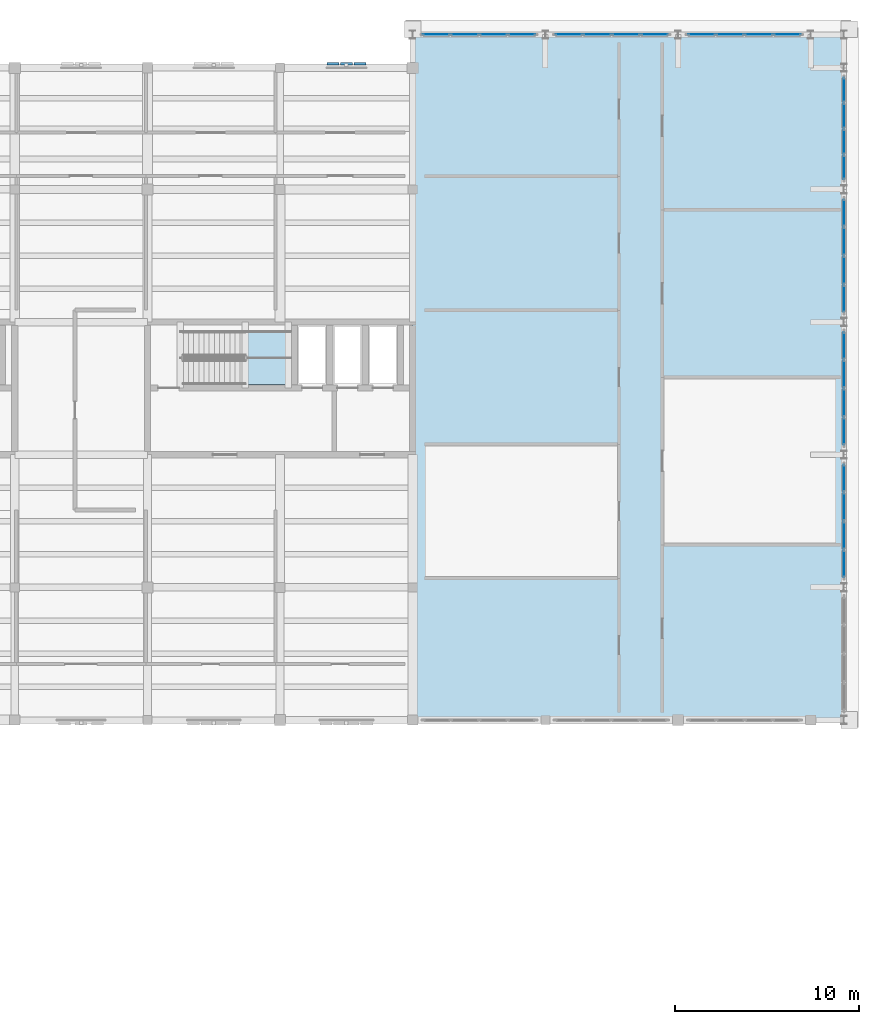
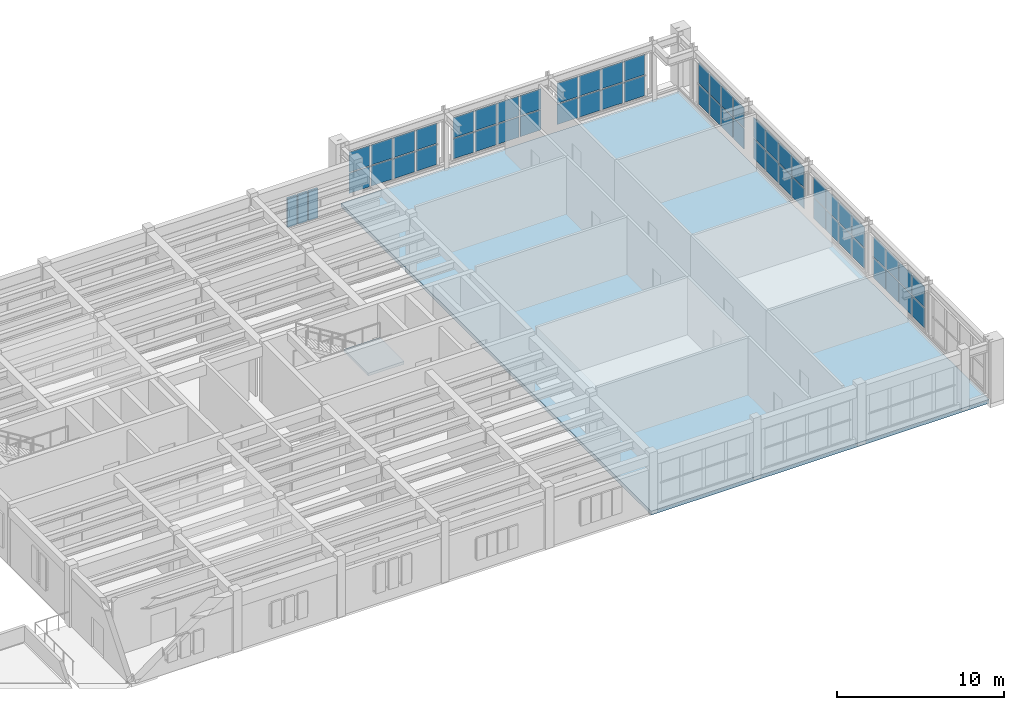
# One storey, part 10 of 18: 59 plates, 2 slabs, 8 elements without a shape of their own.
"""IFC4 building model written with IfcOpenShell, lengths in metres."""

from ifc_helpers import new_model, si_unit, direction, frame, origin, origin_2d, place, context, subcontext, project, spatial, polyline, rectangle, outline, extrude, material, layer, layer_set, type_object, element, aggregate, save


model = new_model("IFC4")

# Units and contexts
model_context = context("Model", 3, precision=1e-05, world=origin(), true_north=direction((0.0, 1.0)))
body_context = subcontext(model_context, "Body", "Model", "MODEL_VIEW")
ifc_project = project(units=[si_unit("LENGTHUNIT", "METRE"), si_unit("AREAUNIT", "SQUARE_METRE"), si_unit("VOLUMEUNIT", "CUBIC_METRE"), si_unit("PLANEANGLEUNIT", "RADIAN"), si_unit("MASSUNIT", "GRAM", prefix="KILO")], contexts=[model_context])

# Site, building, storey
site_placement = place(None, origin())
site = spatial("IfcSite", under=ifc_project, at=site_placement, CompositionType="ELEMENT")
building_placement = place(site_placement, origin())
building = spatial("IfcBuilding", under=site, at=building_placement, Name="Mithqara Police Headquarters", CompositionType="ELEMENT")
storey_placement = place(building_placement, frame((0.0, 0.0, 26.39990234375)))
storey = spatial("IfcBuildingStorey", under=building, at=storey_placement, Name="L06", CompositionType="ELEMENT", Elevation=26.39990234375)

# Curtain wall, plates
ifc_material_1 = material(Name="Bronze anodised aluminium 6063-T6", Category="aluminium")
curtain_wall_type_1 = type_object("IfcCurtainWallType", Name="CURTAIN WALL 6250X3170", PredefinedType="USERDEFINED", material=ifc_material_1)
curtain_wall_1_placement = place(storey_placement, origin())
curtain_wall_1 = element("IfcCurtainWall", 1, at=curtain_wall_1_placement, inside=storey, type_object=curtain_wall_type_1, Name="L06 Unitised Glazing CW-04 (CW-CUBE-L06-P0-E02-S0-01)", ObjectType="UNITISED GLAZING", PredefinedType="USERDEFINED")
ifc_material_2 = material(Name="Ballistic laminated double low-e glass", Category="glass")
ifc_layer_1 = layer(ifc_material_2, 0.035888671875, Name="Ballistic laminated double low-e glass")
ifc_layer_set_1 = layer_set([ifc_layer_1], Name="Ballistic laminated double low-e glass")
plate_type_1 = type_object("IfcPlateType", Name="CWPANEL GLASS36", PredefinedType="CURTAIN_PANEL", material=ifc_layer_set_1)
plate_1_placement = place(storey_placement, frame((168.0, 87.074951171875, 0.52490234375), z_axis=(0.0, 0.0, 1.0), x_axis=(0.0, 1.0, 0.0)))
plate_1 = element("IfcPlate", 2, at=plate_1_placement, type_object=plate_type_1, Name="CW-04 panel 1.1", PredefinedType="CURTAIN_PANEL", context=body_context, shape_type="SweptSolid", body=[
    extrude(rectangle(XDim=1.449951171875, YDim=0.035888671875, at=origin_2d()), origin(), (0.0, 0.0, 1.0), 1.472412109375),
])
plate_2_placement = place(storey_placement, frame((168.0, 87.074951171875, 2.07275390625), z_axis=(0.0, 0.0, 1.0), x_axis=(0.0, 1.0, 0.0)))
plate_2 = element("IfcPlate", 3, at=plate_2_placement, type_object=plate_type_1, Name="CW-04 panel 1.2", PredefinedType="CURTAIN_PANEL", context=body_context, shape_type="SweptSolid", body=[
    extrude(rectangle(XDim=1.449951171875, YDim=0.035888671875, at=origin_2d()), origin(), (0.0, 0.0, 1.0), 1.472412109375),
])
plate_3_placement = place(storey_placement, frame((168.0, 88.61865234375, 0.52490234375), z_axis=(0.0, 0.0, 1.0), x_axis=(0.0, 1.0, 0.0)))
plate_3 = element("IfcPlate", 4, at=plate_3_placement, type_object=plate_type_1, Name="CW-04 panel 2.1", PredefinedType="CURTAIN_PANEL", context=body_context, shape_type="SweptSolid", body=[
    extrude(rectangle(XDim=1.487548828125, YDim=0.035888671875, at=origin_2d()), origin(), (0.0, 0.0, 1.0), 1.472412109375),
])
plate_4_placement = place(storey_placement, frame((168.0, 88.61865234375, 2.07275390625), z_axis=(0.0, 0.0, 1.0), x_axis=(0.0, 1.0, 0.0)))
plate_4 = element("IfcPlate", 5, at=plate_4_placement, type_object=plate_type_1, Name="CW-04 panel 2.2", PredefinedType="CURTAIN_PANEL", context=body_context, shape_type="SweptSolid", body=[
    extrude(rectangle(XDim=1.487548828125, YDim=0.035888671875, at=origin_2d()), origin(), (0.0, 0.0, 1.0), 1.472412109375),
])
plate_5_placement = place(storey_placement, frame((168.0, 90.18115234375, 0.52490234375), z_axis=(0.0, 0.0, 1.0), x_axis=(0.0, 1.0, 0.0)))
plate_5 = element("IfcPlate", 6, at=plate_5_placement, type_object=plate_type_1, Name="CW-04 panel 3.1", PredefinedType="CURTAIN_PANEL", context=body_context, shape_type="SweptSolid", body=[
    extrude(rectangle(XDim=1.487548828125, YDim=0.035888671875, at=origin_2d()), origin(), (0.0, 0.0, 1.0), 1.472412109375),
])
plate_6_placement = place(storey_placement, frame((168.0, 90.18115234375, 2.07275390625), z_axis=(0.0, 0.0, 1.0), x_axis=(0.0, 1.0, 0.0)))
plate_6 = element("IfcPlate", 7, at=plate_6_placement, type_object=plate_type_1, Name="CW-04 panel 3.2", PredefinedType="CURTAIN_PANEL", context=body_context, shape_type="SweptSolid", body=[
    extrude(rectangle(XDim=1.487548828125, YDim=0.035888671875, at=origin_2d()), origin(), (0.0, 0.0, 1.0), 1.472412109375),
])
plate_7_placement = place(storey_placement, frame((168.0, 91.72509765625, 0.52490234375), z_axis=(0.0, 0.0, 1.0), x_axis=(0.0, 1.0, 0.0)))
plate_7 = element("IfcPlate", 8, at=plate_7_placement, type_object=plate_type_1, Name="CW-04 panel 4.1", PredefinedType="CURTAIN_PANEL", context=body_context, shape_type="SweptSolid", body=[
    extrude(rectangle(XDim=1.449951171875, YDim=0.035888671875, at=origin_2d()), origin(), (0.0, 0.0, 1.0), 1.472412109375),
])
plate_8_placement = place(storey_placement, frame((168.0, 91.72509765625, 2.07275390625), z_axis=(0.0, 0.0, 1.0), x_axis=(0.0, 1.0, 0.0)))
plate_8 = element("IfcPlate", 9, at=plate_8_placement, type_object=plate_type_1, Name="CW-04 panel 4.2", PredefinedType="CURTAIN_PANEL", context=body_context, shape_type="SweptSolid", body=[
    extrude(rectangle(XDim=1.449951171875, YDim=0.035888671875, at=origin_2d()), origin(), (0.0, 0.0, 1.0), 1.472412109375),
])
aggregate(curtain_wall_1, [plate_1, plate_2, plate_3, plate_4, plate_5, plate_6, plate_7, plate_8])

curtain_wall_2_placement = place(storey_placement, origin())
curtain_wall_2 = element("IfcCurtainWall", 10, at=curtain_wall_2_placement, inside=storey, type_object=curtain_wall_type_1, Name="L06 Unitised Glazing CW-04 (CW-CUBE-L06-P0-E02-S0-02)", ObjectType="UNITISED GLAZING", PredefinedType="USERDEFINED")
plate_9_placement = place(storey_placement, frame((168.0, 94.27490234375, 0.52490234375), z_axis=(0.0, 0.0, 1.0), x_axis=(0.0, 1.0, 0.0)))
plate_9 = element("IfcPlate", 11, at=plate_9_placement, type_object=plate_type_1, Name="CW-04 panel 1.1", PredefinedType="CURTAIN_PANEL", context=body_context, shape_type="SweptSolid", body=[
    extrude(rectangle(XDim=1.449951171875, YDim=0.035888671875, at=origin_2d()), origin(), (0.0, 0.0, 1.0), 1.472412109375),
])
plate_10_placement = place(storey_placement, frame((168.0, 94.27490234375, 2.07275390625), z_axis=(0.0, 0.0, 1.0), x_axis=(0.0, 1.0, 0.0)))
plate_10 = element("IfcPlate", 12, at=plate_10_placement, type_object=plate_type_1, Name="CW-04 panel 1.2", PredefinedType="CURTAIN_PANEL", context=body_context, shape_type="SweptSolid", body=[
    extrude(rectangle(XDim=1.449951171875, YDim=0.035888671875, at=origin_2d()), origin(), (0.0, 0.0, 1.0), 1.472412109375),
])
plate_11_placement = place(storey_placement, frame((168.0, 95.81884765625, 0.52490234375), z_axis=(0.0, 0.0, 1.0), x_axis=(0.0, 1.0, 0.0)))
plate_11 = element("IfcPlate", 13, at=plate_11_placement, type_object=plate_type_1, Name="CW-04 panel 2.1", PredefinedType="CURTAIN_PANEL", context=body_context, shape_type="SweptSolid", body=[
    extrude(rectangle(XDim=1.487548828125, YDim=0.035888671875, at=origin_2d()), origin(), (0.0, 0.0, 1.0), 1.472412109375),
])
plate_12_placement = place(storey_placement, frame((168.0, 95.81884765625, 2.07275390625), z_axis=(0.0, 0.0, 1.0), x_axis=(0.0, 1.0, 0.0)))
plate_12 = element("IfcPlate", 14, at=plate_12_placement, type_object=plate_type_1, Name="CW-04 panel 2.2", PredefinedType="CURTAIN_PANEL", context=body_context, shape_type="SweptSolid", body=[
    extrude(rectangle(XDim=1.487548828125, YDim=0.035888671875, at=origin_2d()), origin(), (0.0, 0.0, 1.0), 1.472412109375),
])
plate_13_placement = place(storey_placement, frame((168.0, 97.38134765625, 0.52490234375), z_axis=(0.0, 0.0, 1.0), x_axis=(0.0, 1.0, 0.0)))
plate_13 = element("IfcPlate", 15, at=plate_13_placement, type_object=plate_type_1, Name="CW-04 panel 3.1", PredefinedType="CURTAIN_PANEL", context=body_context, shape_type="SweptSolid", body=[
    extrude(rectangle(XDim=1.487548828125, YDim=0.035888671875, at=origin_2d()), origin(), (0.0, 0.0, 1.0), 1.472412109375),
])
plate_14_placement = place(storey_placement, frame((168.0, 97.38134765625, 2.07275390625), z_axis=(0.0, 0.0, 1.0), x_axis=(0.0, 1.0, 0.0)))
plate_14 = element("IfcPlate", 16, at=plate_14_placement, type_object=plate_type_1, Name="CW-04 panel 3.2", PredefinedType="CURTAIN_PANEL", context=body_context, shape_type="SweptSolid", body=[
    extrude(rectangle(XDim=1.487548828125, YDim=0.035888671875, at=origin_2d()), origin(), (0.0, 0.0, 1.0), 1.472412109375),
])
plate_15_placement = place(storey_placement, frame((168.0, 98.925048828125, 0.52490234375), z_axis=(0.0, 0.0, 1.0), x_axis=(0.0, 1.0, 0.0)))
plate_15 = element("IfcPlate", 17, at=plate_15_placement, type_object=plate_type_1, Name="CW-04 panel 4.1", PredefinedType="CURTAIN_PANEL", context=body_context, shape_type="SweptSolid", body=[
    extrude(rectangle(XDim=1.449951171875, YDim=0.035888671875, at=origin_2d()), origin(), (0.0, 0.0, 1.0), 1.472412109375),
])
plate_16_placement = place(storey_placement, frame((168.0, 98.925048828125, 2.07275390625), z_axis=(0.0, 0.0, 1.0), x_axis=(0.0, 1.0, 0.0)))
plate_16 = element("IfcPlate", 18, at=plate_16_placement, type_object=plate_type_1, Name="CW-04 panel 4.2", PredefinedType="CURTAIN_PANEL", context=body_context, shape_type="SweptSolid", body=[
    extrude(rectangle(XDim=1.449951171875, YDim=0.035888671875, at=origin_2d()), origin(), (0.0, 0.0, 1.0), 1.472412109375),
])
aggregate(curtain_wall_2, [plate_9, plate_10, plate_11, plate_12, plate_13, plate_14, plate_15, plate_16])

curtain_wall_3_placement = place(storey_placement, origin())
curtain_wall_3 = element("IfcCurtainWall", 19, at=curtain_wall_3_placement, inside=storey, type_object=curtain_wall_type_1, Name="L06 Unitised Glazing CW-04 (CW-CUBE-L06-P0-E02-S0-03)", ObjectType="UNITISED GLAZING", PredefinedType="USERDEFINED")
plate_17_placement = place(storey_placement, frame((168.0, 101.47509765625, 0.52490234375), z_axis=(0.0, 0.0, 1.0), x_axis=(0.0, 1.0, 0.0)))
plate_17 = element("IfcPlate", 20, at=plate_17_placement, type_object=plate_type_1, Name="CW-04 panel 1.1", PredefinedType="CURTAIN_PANEL", context=body_context, shape_type="SweptSolid", body=[
    extrude(rectangle(XDim=1.449951171875, YDim=0.035888671875, at=origin_2d()), origin(), (0.0, 0.0, 1.0), 1.472412109375),
])
plate_18_placement = place(storey_placement, frame((168.0, 101.47509765625, 2.07275390625), z_axis=(0.0, 0.0, 1.0), x_axis=(0.0, 1.0, 0.0)))
plate_18 = element("IfcPlate", 21, at=plate_18_placement, type_object=plate_type_1, Name="CW-04 panel 1.2", PredefinedType="CURTAIN_PANEL", context=body_context, shape_type="SweptSolid", body=[
    extrude(rectangle(XDim=1.449951171875, YDim=0.035888671875, at=origin_2d()), origin(), (0.0, 0.0, 1.0), 1.472412109375),
])
plate_19_placement = place(storey_placement, frame((168.0, 103.018798828125, 0.52490234375), z_axis=(0.0, 0.0, 1.0), x_axis=(0.0, 1.0, 0.0)))
plate_19 = element("IfcPlate", 22, at=plate_19_placement, type_object=plate_type_1, Name="CW-04 panel 2.1", PredefinedType="CURTAIN_PANEL", context=body_context, shape_type="SweptSolid", body=[
    extrude(rectangle(XDim=1.487548828125, YDim=0.035888671875, at=origin_2d()), origin(), (0.0, 0.0, 1.0), 1.472412109375),
])
plate_20_placement = place(storey_placement, frame((168.0, 103.018798828125, 2.07275390625), z_axis=(0.0, 0.0, 1.0), x_axis=(0.0, 1.0, 0.0)))
plate_20 = element("IfcPlate", 23, at=plate_20_placement, type_object=plate_type_1, Name="CW-04 panel 2.2", PredefinedType="CURTAIN_PANEL", context=body_context, shape_type="SweptSolid", body=[
    extrude(rectangle(XDim=1.487548828125, YDim=0.035888671875, at=origin_2d()), origin(), (0.0, 0.0, 1.0), 1.472412109375),
])
plate_21_placement = place(storey_placement, frame((168.0, 104.581298828125, 0.52490234375), z_axis=(0.0, 0.0, 1.0), x_axis=(0.0, 1.0, 0.0)))
plate_21 = element("IfcPlate", 24, at=plate_21_placement, type_object=plate_type_1, Name="CW-04 panel 3.1", PredefinedType="CURTAIN_PANEL", context=body_context, shape_type="SweptSolid", body=[
    extrude(rectangle(XDim=1.487548828125, YDim=0.035888671875, at=origin_2d()), origin(), (0.0, 0.0, 1.0), 1.472412109375),
])
plate_22_placement = place(storey_placement, frame((168.0, 104.581298828125, 2.07275390625), z_axis=(0.0, 0.0, 1.0), x_axis=(0.0, 1.0, 0.0)))
plate_22 = element("IfcPlate", 25, at=plate_22_placement, type_object=plate_type_1, Name="CW-04 panel 3.2", PredefinedType="CURTAIN_PANEL", context=body_context, shape_type="SweptSolid", body=[
    extrude(rectangle(XDim=1.487548828125, YDim=0.035888671875, at=origin_2d()), origin(), (0.0, 0.0, 1.0), 1.472412109375),
])
plate_23_placement = place(storey_placement, frame((168.0, 106.125, 0.52490234375), z_axis=(0.0, 0.0, 1.0), x_axis=(0.0, 1.0, 0.0)))
plate_23 = element("IfcPlate", 26, at=plate_23_placement, type_object=plate_type_1, Name="CW-04 panel 4.1", PredefinedType="CURTAIN_PANEL", context=body_context, shape_type="SweptSolid", body=[
    extrude(rectangle(XDim=1.449951171875, YDim=0.035888671875, at=origin_2d()), origin(), (0.0, 0.0, 1.0), 1.472412109375),
])
plate_24_placement = place(storey_placement, frame((168.0, 106.125, 2.07275390625), z_axis=(0.0, 0.0, 1.0), x_axis=(0.0, 1.0, 0.0)))
plate_24 = element("IfcPlate", 27, at=plate_24_placement, type_object=plate_type_1, Name="CW-04 panel 4.2", PredefinedType="CURTAIN_PANEL", context=body_context, shape_type="SweptSolid", body=[
    extrude(rectangle(XDim=1.449951171875, YDim=0.035888671875, at=origin_2d()), origin(), (0.0, 0.0, 1.0), 1.472412109375),
])
aggregate(curtain_wall_3, [plate_17, plate_18, plate_19, plate_20, plate_21, plate_22, plate_23, plate_24])

curtain_wall_type_2 = type_object("IfcCurtainWallType", Name="CURTAIN WALL 5650X3170", PredefinedType="USERDEFINED", material=ifc_material_1)
curtain_wall_4_placement = place(storey_placement, origin())
curtain_wall_4 = element("IfcCurtainWall", 28, at=curtain_wall_4_placement, inside=storey, type_object=curtain_wall_type_2, Name="L06 Unitised Glazing CW-05 (CW-CUBE-L06-P0-E02-S0-04)", ObjectType="UNITISED GLAZING", PredefinedType="USERDEFINED")
plate_25_placement = place(storey_placement, frame((168.0, 108.60009765625, 0.52490234375), z_axis=(0.0, 0.0, 1.0), x_axis=(0.0, 1.0, 0.0)))
plate_25 = element("IfcPlate", 29, at=plate_25_placement, type_object=plate_type_1, Name="CW-05 panel 1.1", PredefinedType="CURTAIN_PANEL", context=body_context, shape_type="SweptSolid", body=[
    extrude(rectangle(XDim=1.300048828125, YDim=0.035888671875, at=origin_2d()), origin(), (0.0, 0.0, 1.0), 1.472412109375),
])
plate_26_placement = place(storey_placement, frame((168.0, 108.60009765625, 2.07275390625), z_axis=(0.0, 0.0, 1.0), x_axis=(0.0, 1.0, 0.0)))
plate_26 = element("IfcPlate", 30, at=plate_26_placement, type_object=plate_type_1, Name="CW-05 panel 1.2", PredefinedType="CURTAIN_PANEL", context=body_context, shape_type="SweptSolid", body=[
    extrude(rectangle(XDim=1.300048828125, YDim=0.035888671875, at=origin_2d()), origin(), (0.0, 0.0, 1.0), 1.472412109375),
])
plate_27_placement = place(storey_placement, frame((168.0, 109.99365234375, 0.52490234375), z_axis=(0.0, 0.0, 1.0), x_axis=(0.0, 1.0, 0.0)))
plate_27 = element("IfcPlate", 31, at=plate_27_placement, type_object=plate_type_1, Name="CW-05 panel 2.1", PredefinedType="CURTAIN_PANEL", context=body_context, shape_type="SweptSolid", body=[
    extrude(rectangle(XDim=1.33740234375, YDim=0.035888671875, at=origin_2d()), origin(), (0.0, 0.0, 1.0), 1.472412109375),
])
plate_28_placement = place(storey_placement, frame((168.0, 109.99365234375, 2.07275390625), z_axis=(0.0, 0.0, 1.0), x_axis=(0.0, 1.0, 0.0)))
plate_28 = element("IfcPlate", 32, at=plate_28_placement, type_object=plate_type_1, Name="CW-05 panel 2.2", PredefinedType="CURTAIN_PANEL", context=body_context, shape_type="SweptSolid", body=[
    extrude(rectangle(XDim=1.33740234375, YDim=0.035888671875, at=origin_2d()), origin(), (0.0, 0.0, 1.0), 1.472412109375),
])
plate_29_placement = place(storey_placement, frame((168.0, 111.40625, 0.52490234375), z_axis=(0.0, 0.0, 1.0), x_axis=(0.0, 1.0, 0.0)))
plate_29 = element("IfcPlate", 33, at=plate_29_placement, type_object=plate_type_1, Name="CW-05 panel 3.1", PredefinedType="CURTAIN_PANEL", context=body_context, shape_type="SweptSolid", body=[
    extrude(rectangle(XDim=1.33740234375, YDim=0.035888671875, at=origin_2d()), origin(), (0.0, 0.0, 1.0), 1.472412109375),
])
plate_30_placement = place(storey_placement, frame((168.0, 111.40625, 2.07275390625), z_axis=(0.0, 0.0, 1.0), x_axis=(0.0, 1.0, 0.0)))
plate_30 = element("IfcPlate", 34, at=plate_30_placement, type_object=plate_type_1, Name="CW-05 panel 3.2", PredefinedType="CURTAIN_PANEL", context=body_context, shape_type="SweptSolid", body=[
    extrude(rectangle(XDim=1.33740234375, YDim=0.035888671875, at=origin_2d()), origin(), (0.0, 0.0, 1.0), 1.472412109375),
])
plate_31_placement = place(storey_placement, frame((168.0, 112.800048828125, 0.52490234375), z_axis=(0.0, 0.0, 1.0), x_axis=(0.0, 1.0, 0.0)))
plate_31 = element("IfcPlate", 35, at=plate_31_placement, type_object=plate_type_1, Name="CW-05 panel 4.1", PredefinedType="CURTAIN_PANEL", context=body_context, shape_type="SweptSolid", body=[
    extrude(rectangle(XDim=1.300048828125, YDim=0.035888671875, at=origin_2d()), origin(), (0.0, 0.0, 1.0), 1.472412109375),
])
plate_32_placement = place(storey_placement, frame((168.0, 112.800048828125, 2.07275390625), z_axis=(0.0, 0.0, 1.0), x_axis=(0.0, 1.0, 0.0)))
plate_32 = element("IfcPlate", 36, at=plate_32_placement, type_object=plate_type_1, Name="CW-05 panel 4.2", PredefinedType="CURTAIN_PANEL", context=body_context, shape_type="SweptSolid", body=[
    extrude(rectangle(XDim=1.300048828125, YDim=0.035888671875, at=origin_2d()), origin(), (0.0, 0.0, 1.0), 1.472412109375),
])
aggregate(curtain_wall_4, [plate_25, plate_26, plate_27, plate_28, plate_29, plate_30, plate_31, plate_32])

curtain_wall_5_placement = place(storey_placement, origin())
curtain_wall_5 = element("IfcCurtainWall", 37, at=curtain_wall_5_placement, inside=storey, type_object=curtain_wall_type_1, Name="L06 Unitised Glazing CW-04 (CW-CUBE-L06-P0-E03-S0-00)", ObjectType="UNITISED GLAZING", PredefinedType="USERDEFINED")
plate_33_placement = place(storey_placement, frame((164.925048828125, 115.800048828125, 0.52490234375), z_axis=(0.0, 0.0, 1.0), x_axis=(-1.0, 0.0, 0.0)))
plate_33 = element("IfcPlate", 38, at=plate_33_placement, type_object=plate_type_1, Name="CW-04 panel 1.1", PredefinedType="CURTAIN_PANEL", context=body_context, shape_type="SweptSolid", body=[
    extrude(rectangle(XDim=1.449951171875, YDim=0.035888671875, at=origin_2d()), origin(), (0.0, 0.0, 1.0), 1.472412109375),
])
plate_34_placement = place(storey_placement, frame((164.925048828125, 115.800048828125, 2.07275390625), z_axis=(0.0, 0.0, 1.0), x_axis=(-1.0, 0.0, 0.0)))
plate_34 = element("IfcPlate", 39, at=plate_34_placement, type_object=plate_type_1, Name="CW-04 panel 1.2", PredefinedType="CURTAIN_PANEL", context=body_context, shape_type="SweptSolid", body=[
    extrude(rectangle(XDim=1.449951171875, YDim=0.035888671875, at=origin_2d()), origin(), (0.0, 0.0, 1.0), 1.472412109375),
])
plate_35_placement = place(storey_placement, frame((163.38134765625, 115.800048828125, 0.52490234375), z_axis=(0.0, 0.0, 1.0), x_axis=(-1.0, 0.0, 0.0)))
plate_35 = element("IfcPlate", 40, at=plate_35_placement, type_object=plate_type_1, Name="CW-04 panel 2.1", PredefinedType="CURTAIN_PANEL", context=body_context, shape_type="SweptSolid", body=[
    extrude(rectangle(XDim=1.487548828125, YDim=0.035888671875, at=origin_2d()), origin(), (0.0, 0.0, 1.0), 1.472412109375),
])
plate_36_placement = place(storey_placement, frame((163.38134765625, 115.800048828125, 2.07275390625), z_axis=(0.0, 0.0, 1.0), x_axis=(-1.0, 0.0, 0.0)))
plate_36 = element("IfcPlate", 41, at=plate_36_placement, type_object=plate_type_1, Name="CW-04 panel 2.2", PredefinedType="CURTAIN_PANEL", context=body_context, shape_type="SweptSolid", body=[
    extrude(rectangle(XDim=1.487548828125, YDim=0.035888671875, at=origin_2d()), origin(), (0.0, 0.0, 1.0), 1.472412109375),
])
plate_37_placement = place(storey_placement, frame((161.81884765625, 115.800048828125, 0.52490234375), z_axis=(0.0, 0.0, 1.0), x_axis=(-1.0, 0.0, 0.0)))
plate_37 = element("IfcPlate", 42, at=plate_37_placement, type_object=plate_type_1, Name="CW-04 panel 3.1", PredefinedType="CURTAIN_PANEL", context=body_context, shape_type="SweptSolid", body=[
    extrude(rectangle(XDim=1.487548828125, YDim=0.035888671875, at=origin_2d()), origin(), (0.0, 0.0, 1.0), 1.472412109375),
])
plate_38_placement = place(storey_placement, frame((161.81884765625, 115.800048828125, 2.07275390625), z_axis=(0.0, 0.0, 1.0), x_axis=(-1.0, 0.0, 0.0)))
plate_38 = element("IfcPlate", 43, at=plate_38_placement, type_object=plate_type_1, Name="CW-04 panel 3.2", PredefinedType="CURTAIN_PANEL", context=body_context, shape_type="SweptSolid", body=[
    extrude(rectangle(XDim=1.487548828125, YDim=0.035888671875, at=origin_2d()), origin(), (0.0, 0.0, 1.0), 1.472412109375),
])
plate_39_placement = place(storey_placement, frame((160.27490234375, 115.800048828125, 0.52490234375), z_axis=(0.0, 0.0, 1.0), x_axis=(-1.0, 0.0, 0.0)))
plate_39 = element("IfcPlate", 44, at=plate_39_placement, type_object=plate_type_1, Name="CW-04 panel 4.1", PredefinedType="CURTAIN_PANEL", context=body_context, shape_type="SweptSolid", body=[
    extrude(rectangle(XDim=1.449951171875, YDim=0.035888671875, at=origin_2d()), origin(), (0.0, 0.0, 1.0), 1.472412109375),
])
plate_40_placement = place(storey_placement, frame((160.27490234375, 115.800048828125, 2.07275390625), z_axis=(0.0, 0.0, 1.0), x_axis=(-1.0, 0.0, 0.0)))
plate_40 = element("IfcPlate", 45, at=plate_40_placement, type_object=plate_type_1, Name="CW-04 panel 4.2", PredefinedType="CURTAIN_PANEL", context=body_context, shape_type="SweptSolid", body=[
    extrude(rectangle(XDim=1.449951171875, YDim=0.035888671875, at=origin_2d()), origin(), (0.0, 0.0, 1.0), 1.472412109375),
])
aggregate(curtain_wall_5, [plate_33, plate_34, plate_35, plate_36, plate_37, plate_38, plate_39, plate_40])

curtain_wall_6_placement = place(storey_placement, origin())
curtain_wall_6 = element("IfcCurtainWall", 46, at=curtain_wall_6_placement, inside=storey, type_object=curtain_wall_type_1, Name="L06 Unitised Glazing CW-04 (CW-CUBE-L06-P0-E03-S0-01)", ObjectType="UNITISED GLAZING", PredefinedType="USERDEFINED")
plate_41_placement = place(storey_placement, frame((157.72509765625, 115.800048828125, 0.52490234375), z_axis=(0.0, 0.0, 1.0), x_axis=(-1.0, 0.0, 0.0)))
plate_41 = element("IfcPlate", 47, at=plate_41_placement, type_object=plate_type_1, Name="CW-04 panel 1.1", PredefinedType="CURTAIN_PANEL", context=body_context, shape_type="SweptSolid", body=[
    extrude(rectangle(XDim=1.449951171875, YDim=0.035888671875, at=origin_2d()), origin(), (0.0, 0.0, 1.0), 1.472412109375),
])
plate_42_placement = place(storey_placement, frame((157.72509765625, 115.800048828125, 2.07275390625), z_axis=(0.0, 0.0, 1.0), x_axis=(-1.0, 0.0, 0.0)))
plate_42 = element("IfcPlate", 48, at=plate_42_placement, type_object=plate_type_1, Name="CW-04 panel 1.2", PredefinedType="CURTAIN_PANEL", context=body_context, shape_type="SweptSolid", body=[
    extrude(rectangle(XDim=1.449951171875, YDim=0.035888671875, at=origin_2d()), origin(), (0.0, 0.0, 1.0), 1.472412109375),
])
plate_43_placement = place(storey_placement, frame((156.18115234375, 115.800048828125, 0.52490234375), z_axis=(0.0, 0.0, 1.0), x_axis=(-1.0, 0.0, 0.0)))
plate_43 = element("IfcPlate", 49, at=plate_43_placement, type_object=plate_type_1, Name="CW-04 panel 2.1", PredefinedType="CURTAIN_PANEL", context=body_context, shape_type="SweptSolid", body=[
    extrude(rectangle(XDim=1.487548828125, YDim=0.035888671875, at=origin_2d()), origin(), (0.0, 0.0, 1.0), 1.472412109375),
])
plate_44_placement = place(storey_placement, frame((156.18115234375, 115.800048828125, 2.07275390625), z_axis=(0.0, 0.0, 1.0), x_axis=(-1.0, 0.0, 0.0)))
plate_44 = element("IfcPlate", 50, at=plate_44_placement, type_object=plate_type_1, Name="CW-04 panel 2.2", PredefinedType="CURTAIN_PANEL", context=body_context, shape_type="SweptSolid", body=[
    extrude(rectangle(XDim=1.487548828125, YDim=0.035888671875, at=origin_2d()), origin(), (0.0, 0.0, 1.0), 1.472412109375),
])
plate_45_placement = place(storey_placement, frame((154.61865234375, 115.800048828125, 0.52490234375), z_axis=(0.0, 0.0, 1.0), x_axis=(-1.0, 0.0, 0.0)))
plate_45 = element("IfcPlate", 51, at=plate_45_placement, type_object=plate_type_1, Name="CW-04 panel 3.1", PredefinedType="CURTAIN_PANEL", context=body_context, shape_type="SweptSolid", body=[
    extrude(rectangle(XDim=1.487548828125, YDim=0.035888671875, at=origin_2d()), origin(), (0.0, 0.0, 1.0), 1.472412109375),
])
plate_46_placement = place(storey_placement, frame((154.61865234375, 115.800048828125, 2.07275390625), z_axis=(0.0, 0.0, 1.0), x_axis=(-1.0, 0.0, 0.0)))
plate_46 = element("IfcPlate", 52, at=plate_46_placement, type_object=plate_type_1, Name="CW-04 panel 3.2", PredefinedType="CURTAIN_PANEL", context=body_context, shape_type="SweptSolid", body=[
    extrude(rectangle(XDim=1.487548828125, YDim=0.035888671875, at=origin_2d()), origin(), (0.0, 0.0, 1.0), 1.472412109375),
])
plate_47_placement = place(storey_placement, frame((153.074951171875, 115.800048828125, 0.52490234375), z_axis=(0.0, 0.0, 1.0), x_axis=(-1.0, 0.0, 0.0)))
plate_47 = element("IfcPlate", 53, at=plate_47_placement, type_object=plate_type_1, Name="CW-04 panel 4.1", PredefinedType="CURTAIN_PANEL", context=body_context, shape_type="SweptSolid", body=[
    extrude(rectangle(XDim=1.449951171875, YDim=0.035888671875, at=origin_2d()), origin(), (0.0, 0.0, 1.0), 1.472412109375),
])
plate_48_placement = place(storey_placement, frame((153.074951171875, 115.800048828125, 2.07275390625), z_axis=(0.0, 0.0, 1.0), x_axis=(-1.0, 0.0, 0.0)))
plate_48 = element("IfcPlate", 54, at=plate_48_placement, type_object=plate_type_1, Name="CW-04 panel 4.2", PredefinedType="CURTAIN_PANEL", context=body_context, shape_type="SweptSolid", body=[
    extrude(rectangle(XDim=1.449951171875, YDim=0.035888671875, at=origin_2d()), origin(), (0.0, 0.0, 1.0), 1.472412109375),
])
aggregate(curtain_wall_6, [plate_41, plate_42, plate_43, plate_44, plate_45, plate_46, plate_47, plate_48])

curtain_wall_7_placement = place(storey_placement, origin())
curtain_wall_7 = element("IfcCurtainWall", 55, at=curtain_wall_7_placement, inside=storey, type_object=curtain_wall_type_1, Name="L06 Unitised Glazing CW-04 (CW-CUBE-L06-P0-E03-S0-02)", ObjectType="UNITISED GLAZING", PredefinedType="USERDEFINED")
plate_49_placement = place(storey_placement, frame((150.52490234375, 115.800048828125, 0.52490234375), z_axis=(0.0, 0.0, 1.0), x_axis=(-1.0, 0.0, 0.0)))
plate_49 = element("IfcPlate", 56, at=plate_49_placement, type_object=plate_type_1, Name="CW-04 panel 1.1", PredefinedType="CURTAIN_PANEL", context=body_context, shape_type="SweptSolid", body=[
    extrude(rectangle(XDim=1.449951171875, YDim=0.035888671875, at=origin_2d()), origin(), (0.0, 0.0, 1.0), 1.472412109375),
])
plate_50_placement = place(storey_placement, frame((150.52490234375, 115.800048828125, 2.07275390625), z_axis=(0.0, 0.0, 1.0), x_axis=(-1.0, 0.0, 0.0)))
plate_50 = element("IfcPlate", 57, at=plate_50_placement, type_object=plate_type_1, Name="CW-04 panel 1.2", PredefinedType="CURTAIN_PANEL", context=body_context, shape_type="SweptSolid", body=[
    extrude(rectangle(XDim=1.449951171875, YDim=0.035888671875, at=origin_2d()), origin(), (0.0, 0.0, 1.0), 1.472412109375),
])
plate_51_placement = place(storey_placement, frame((148.981201171875, 115.800048828125, 0.52490234375), z_axis=(0.0, 0.0, 1.0), x_axis=(-1.0, 0.0, 0.0)))
plate_51 = element("IfcPlate", 58, at=plate_51_placement, type_object=plate_type_1, Name="CW-04 panel 2.1", PredefinedType="CURTAIN_PANEL", context=body_context, shape_type="SweptSolid", body=[
    extrude(rectangle(XDim=1.487548828125, YDim=0.035888671875, at=origin_2d()), origin(), (0.0, 0.0, 1.0), 1.472412109375),
])
plate_52_placement = place(storey_placement, frame((148.981201171875, 115.800048828125, 2.07275390625), z_axis=(0.0, 0.0, 1.0), x_axis=(-1.0, 0.0, 0.0)))
plate_52 = element("IfcPlate", 59, at=plate_52_placement, type_object=plate_type_1, Name="CW-04 panel 2.2", PredefinedType="CURTAIN_PANEL", context=body_context, shape_type="SweptSolid", body=[
    extrude(rectangle(XDim=1.487548828125, YDim=0.035888671875, at=origin_2d()), origin(), (0.0, 0.0, 1.0), 1.472412109375),
])
plate_53_placement = place(storey_placement, frame((147.418701171875, 115.800048828125, 0.52490234375), z_axis=(0.0, 0.0, 1.0), x_axis=(-1.0, 0.0, 0.0)))
plate_53 = element("IfcPlate", 60, at=plate_53_placement, type_object=plate_type_1, Name="CW-04 panel 3.1", PredefinedType="CURTAIN_PANEL", context=body_context, shape_type="SweptSolid", body=[
    extrude(rectangle(XDim=1.487548828125, YDim=0.035888671875, at=origin_2d()), origin(), (0.0, 0.0, 1.0), 1.472412109375),
])
plate_54_placement = place(storey_placement, frame((147.418701171875, 115.800048828125, 2.07275390625), z_axis=(0.0, 0.0, 1.0), x_axis=(-1.0, 0.0, 0.0)))
plate_54 = element("IfcPlate", 61, at=plate_54_placement, type_object=plate_type_1, Name="CW-04 panel 3.2", PredefinedType="CURTAIN_PANEL", context=body_context, shape_type="SweptSolid", body=[
    extrude(rectangle(XDim=1.487548828125, YDim=0.035888671875, at=origin_2d()), origin(), (0.0, 0.0, 1.0), 1.472412109375),
])
plate_55_placement = place(storey_placement, frame((145.875, 115.800048828125, 0.52490234375), z_axis=(0.0, 0.0, 1.0), x_axis=(-1.0, 0.0, 0.0)))
plate_55 = element("IfcPlate", 62, at=plate_55_placement, type_object=plate_type_1, Name="CW-04 panel 4.1", PredefinedType="CURTAIN_PANEL", context=body_context, shape_type="SweptSolid", body=[
    extrude(rectangle(XDim=1.449951171875, YDim=0.035888671875, at=origin_2d()), origin(), (0.0, 0.0, 1.0), 1.472412109375),
])
plate_56_placement = place(storey_placement, frame((145.875, 115.800048828125, 2.07275390625), z_axis=(0.0, 0.0, 1.0), x_axis=(-1.0, 0.0, 0.0)))
plate_56 = element("IfcPlate", 63, at=plate_56_placement, type_object=plate_type_1, Name="CW-04 panel 4.2", PredefinedType="CURTAIN_PANEL", context=body_context, shape_type="SweptSolid", body=[
    extrude(rectangle(XDim=1.449951171875, YDim=0.035888671875, at=origin_2d()), origin(), (0.0, 0.0, 1.0), 1.472412109375),
])
aggregate(curtain_wall_7, [plate_49, plate_50, plate_51, plate_52, plate_53, plate_54, plate_55, plate_56])

# Slab
ifc_material_3 = material(Name="Concrete C40/50", Category="concrete")
ifc_layer_2 = layer(ifc_material_3, 0.280029296875, Name="Concrete C40/50")
ifc_layer_set_2 = layer_set([ifc_layer_2], Name="Concrete C40/50")
slab_type_1 = type_object("IfcSlabType", Name="FLOOR SLAB 280", PredefinedType="FLOOR", material=ifc_layer_set_2)
slab_1_placement = place(storey_placement, frame((0.0, 0.0, -0.27978515625)))
element("IfcSlab", 64, at=slab_1_placement, inside=storey, type_object=slab_type_1, Name="L06 Structural Slab L06-CUBE", PredefinedType="FLOOR", context=body_context, shape_type="SweptSolid", body=[
    extrude(outline(polyline([(144.60009765625, 115.800048828125), (168.0, 115.800048828125), (168.0, 78.60009765625), (144.60009765625, 78.60009765625), (144.60009765625, 114.0), (144.60009765625, 115.800048828125)])), origin(), (0.0, 0.0, 1.0), 0.27978515625),
])

# Stair, slab
stair_type = type_object("IfcStairType", Name="STAIR ST 02-R26", PredefinedType="HALF_TURN_STAIR", material=ifc_material_3)
stair_placement = place(storey_placement, origin())
stair = element("IfcStair", 65, at=stair_placement, inside=storey, type_object=stair_type, Name="L06 Core C2 Command East Exit Stair", PredefinedType="HALF_TURN_STAIR")
ifc_layer_3 = layer(ifc_material_3, 0.199951171875, Name="Concrete C40/50")
ifc_layer_set_3 = layer_set([ifc_layer_3], Name="Concrete C40/50")
slab_type_2 = type_object("IfcSlabType", Name="STAIR LANDING 200", PredefinedType="LANDING", material=ifc_layer_set_3)
slab_2_placement = place(storey_placement, frame((0.0, 0.0, 2.050048828125)))
slab_2 = element("IfcSlab", 66, at=slab_2_placement, type_object=slab_type_2, Name="ST-02 landing 1", PredefinedType="LANDING", context=body_context, shape_type="SweptSolid", body=[
    extrude(outline(polyline([(135.510009765625, 96.800048828125), (138.0, 96.800048828125), (138.0, 99.699951171875), (135.510009765625, 99.699951171875), (135.510009765625, 96.800048828125)])), origin(), (0.0, 0.0, 1.0), 0.199951171875),
])
aggregate(stair, [slab_2])

# Plates
ifc_material_4 = material(Name="Limestone ashlar masonry, 45 MPa", Category="masonry")
ifc_layer_4 = layer(ifc_material_4, 0.139892578125, Name="Limestone ashlar masonry, 45 MPa")
ifc_layer_set_4 = layer_set([ifc_layer_4], Name="Limestone ashlar masonry, 45 MPa")
plate_type_2 = type_object("IfcPlateType", Name="STONE SCREEN 140", PredefinedType="USERDEFINED", material=ifc_layer_set_4)
for number, where, z_axis, x_axis, name in (
    (67, (141.7333984375, 114.219970703125, 0.830078125), (0.0, 0.0, 1.0), (1.0, 0.0, 0.0), "L06 Pierced Limestone Vertical-Slit Panel 277"),
    (68, (141.0, 114.219970703125, 0.830078125), (0.0, 0.0, 1.0), (1.0, 0.0, 0.0), "L06 Pierced Limestone Vertical-Slit Panel 278"),
    (69, (140.2666015625, 114.219970703125, 0.830078125), (0.0, 0.0, 1.0), (1.0, 0.0, 0.0), "L06 Pierced Limestone Vertical-Slit Panel 279"),
):
    element("IfcPlate", number, at=place(storey_placement, frame(where, z_axis=z_axis, x_axis=x_axis)), inside=storey, type_object=plate_type_2, Name=name, ObjectType="STONE SCREEN", PredefinedType="USERDEFINED", context=body_context, shape_type="SweptSolid", body=[
        extrude(rectangle(XDim=0.656005859375, YDim=0.139892578125, at=origin_2d()), origin(), (0.0, 0.0, 1.0), 2.139892578125),
    ])

save(model, "model.ifc")
